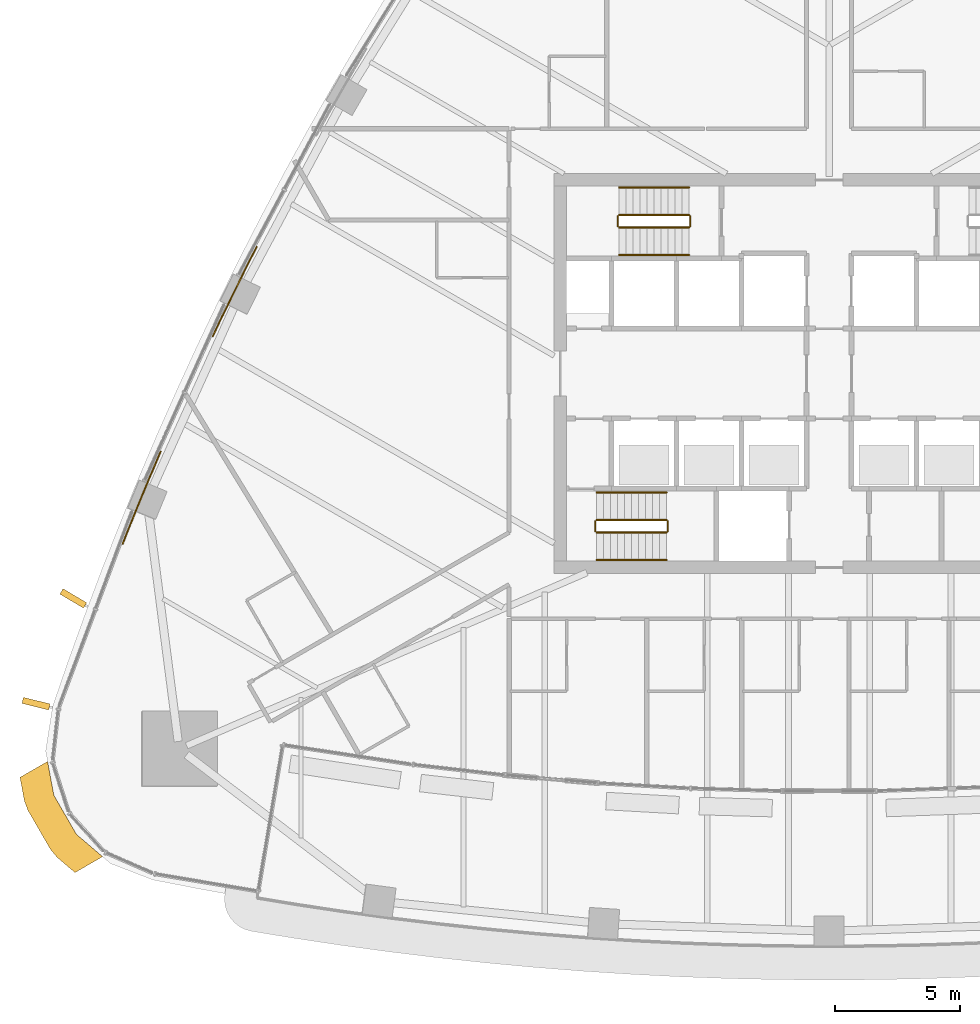
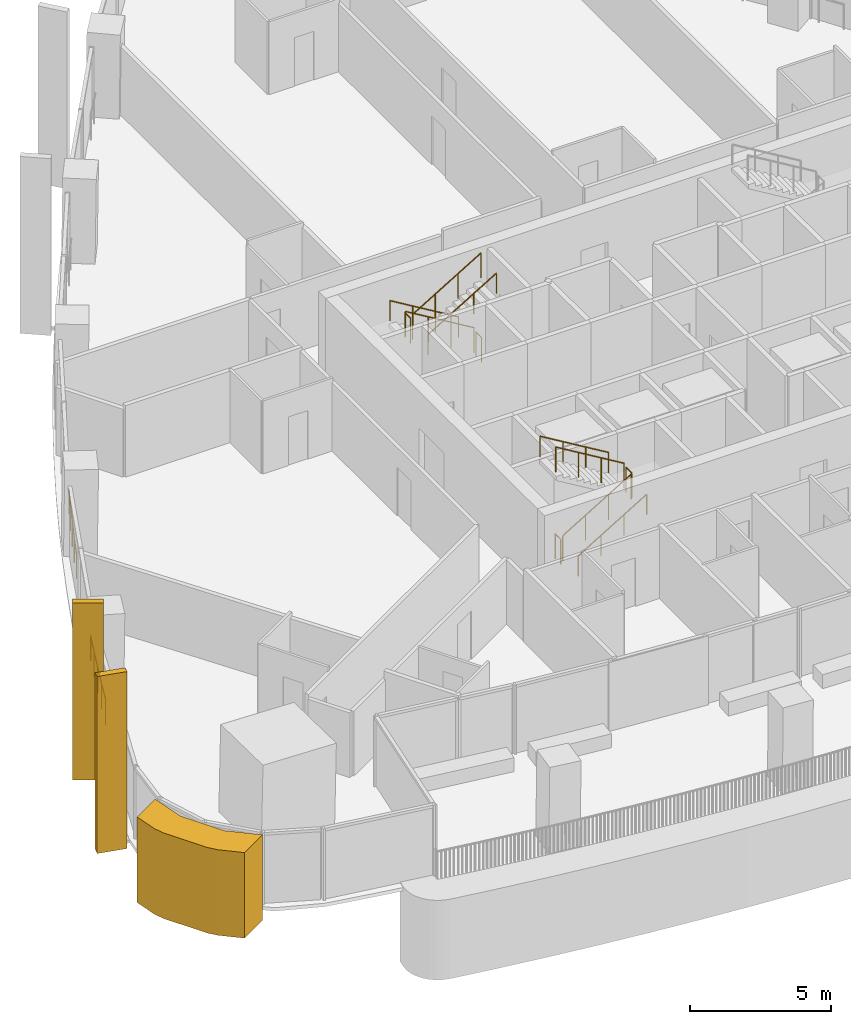
# One storey, part 20 of 25: 14 railings, 3 coverings.
"""IFC4 building model written with IfcOpenShell, lengths in metres."""

from ifc_helpers import new_model, si_unit, direction, frame, origin, origin_2d, place, context, subcontext, project, spatial, polyline, rectangle, circle, outline, extrude, material, layer, layer_set, material_profile, profile_set, type_object, element, save


model = new_model("IFC4")

# Units and contexts
model_context = context("Model", 3, precision=1e-05, world=origin(), true_north=direction((0.0, 1.0)))
body_context = subcontext(model_context, "Body", "Model", "MODEL_VIEW")
ifc_project = project(units=[si_unit("LENGTHUNIT", "METRE"), si_unit("AREAUNIT", "SQUARE_METRE"), si_unit("VOLUMEUNIT", "CUBIC_METRE"), si_unit("PLANEANGLEUNIT", "RADIAN"), si_unit("MASSUNIT", "GRAM", prefix="KILO")], contexts=[model_context])

# Site, building, storey
site_placement = place(None, origin())
site = spatial("IfcSite", under=ifc_project, at=site_placement, CompositionType="ELEMENT")
building_placement = place(site_placement, origin())
building = spatial("IfcBuilding", under=site, at=building_placement, Name="Sierra Prisma Convention Tower", CompositionType="ELEMENT")
storey_placement = place(building_placement, frame((0.0, 0.0, 88.699951171875)))
storey = spatial("IfcBuildingStorey", under=building, at=storey_placement, Name="L18", CompositionType="ELEMENT", Elevation=88.699951171875)

# Coverings
ifc_material_1 = material(Name="Aluminium composite bronze anodised", Category="aluminium")
ifc_layer = layer(ifc_material_1, 1.199951171875)
ifc_layer_set = layer_set([ifc_layer], Name="Bronze corner pier")
covering_type_1 = type_object("IfcCoveringType", Name="Bronze corner pier", PredefinedType="CLADDING", material=ifc_layer_set)
covering_placement = place(storey_placement, frame((0.0, 0.0, -0.599853515625)))
element("IfcCovering", 1, at=covering_placement, inside=storey, type_object=covering_type_1, Name="Corner pier SW L18.1", PredefinedType="CLADDING", context=body_context, shape_type="SweptSolid", body=[
    extrude(outline(polyline([(-30.887939453125, -19.33544921875), (-31.146728515625, -19.02392578125), (-32.048583984375, -17.4619140625), (-32.18896484375, -17.08203125), (-32.36376953125, -16.14501953125), (-31.26171875, -15.5087890625), (-31.009521484375, -16.862060546875), (-30.107666015625, -18.423828125), (-29.061767578125, -19.319091796875), (-30.163818359375, -19.955322265625), (-30.887939453125, -19.33544921875)])), origin(), (0.0, 0.0, 1.0), 3.699951171875),
])
ifc_material_2 = material(Name="Aluminium 6063-T6 bronze anodised", Category="aluminium")
ifc_material_profile = material_profile(ifc_material_2, rectangle(XDim=1.10009765625, YDim=0.25, at=origin_2d()), Name="ALU FIN 1100x250")
ifc_profile_set = profile_set([ifc_material_profile], Name="Aluminium 6063-T6 bronze anodised")
covering_type_2 = type_object("IfcCoveringType", Name="Bronze facade fin", PredefinedType="CLADDING", material=ifc_profile_set)
for number, where, z_axis, x_axis, name in (
    (2, (-30.232421875, -8.988037109375, -0.300048828125), (0.0, 0.0, 1.0), (-0.860545856058, 0.509372976924, 0.0), "Fin L18.37"),
    (3, (-31.72119140625, -13.198486328125, -0.300048828125), (0.0, 0.0, 1.0), (-0.970855875619, 0.239664074856, 0.0), "Fin L18.38"),
):
    element("IfcCovering", number, at=place(storey_placement, frame(where, z_axis=z_axis, x_axis=x_axis)), inside=storey, type_object=covering_type_2, Name=name, ObjectType="FIN", PredefinedType="CLADDING", context=body_context, shape_type="SweptSolid", body=[
        extrude(rectangle(XDim=1.10009765625, YDim=0.25, at=origin_2d()), origin(), (0.0, 0.0, 1.0), 7.650146484375),
    ])

# Railings
ifc_material_3 = material(Name="Stainless steel", Category="steel")
railing_type_1 = type_object("IfcRailingType", Name="Exit stair handrail", PredefinedType="HANDRAIL", material=ifc_material_3)
railing_1_placement = place(storey_placement, frame((-9.300048828125, -7.449951171875, 0.168212890625)))
element("IfcRailing", 4, at=railing_1_placement, inside=storey, type_object=railing_type_1, Name="L18 S1 stair handrail 1", PredefinedType="HANDRAIL", context=body_context, shape_type="SweptSolid", body=[
    extrude(circle(Radius=0.02392578125, at=origin_2d()), frame((0.0, 0.0, 0.8759765625), z_axis=(0.857242210791, 0.0, 0.514913383045), x_axis=(0.0, 1.0, 0.0)), (0.0, 0.0, 1.0), 3.266357421875),
    extrude(circle(Radius=0.02099609375, at=origin_2d()), origin(), (0.0, 0.0, 1.0), 0.851806640625),
    extrude(circle(Radius=0.02099609375, at=origin_2d()), frame((0.933349609375, 0.0, 0.560546875)), (0.0, 0.0, 1.0), 0.851806640625),
    extrude(circle(Radius=0.02099609375, at=origin_2d()), frame((1.86669921875, 0.0, 1.121337890625)), (0.0, 0.0, 1.0), 0.851806640625),
    extrude(circle(Radius=0.02099609375, at=origin_2d()), frame((2.800048828125, 0.0, 1.681884765625)), (0.0, 0.0, 1.0), 0.851806640625),
])
railing_2_placement = place(storey_placement, frame((-6.5, -4.75, 2.018310546875)))
element("IfcRailing", 5, at=railing_2_placement, inside=storey, type_object=railing_type_1, Name="L18 S1 stair handrail 2", PredefinedType="HANDRAIL", context=body_context, shape_type="SweptSolid", body=[
    extrude(circle(Radius=0.02392578125, at=origin_2d()), frame((0.0, 0.0, 0.8759765625), z_axis=(-0.857275202839, 0.0, 0.514858452973), x_axis=(0.0, -1.0, 0.0)), (0.0, 0.0, 1.0), 3.26611328125),
    extrude(circle(Radius=0.02099609375, at=origin_2d()), origin(), (0.0, 0.0, 1.0), 0.851806640625),
    extrude(circle(Radius=0.02099609375, at=origin_2d()), frame((-0.933349609375, 0.0, 0.560546875)), (0.0, 0.0, 1.0), 0.851806640625),
    extrude(circle(Radius=0.02099609375, at=origin_2d()), frame((-1.86669921875, 0.0, 1.12109375)), (0.0, 0.0, 1.0), 0.851806640625),
    extrude(circle(Radius=0.02099609375, at=origin_2d()), frame((-2.800048828125, 0.0, 1.681640625)), (0.0, 0.0, 1.0), 0.851806640625),
])
railing_3_placement = place(storey_placement, frame((-5.60009765625, 7.449951171875, 0.168212890625)))
element("IfcRailing", 6, at=railing_3_placement, inside=storey, type_object=railing_type_1, Name="L18 S3 stair handrail 1", PredefinedType="HANDRAIL", context=body_context, shape_type="SweptSolid", body=[
    extrude(circle(Radius=0.02392578125, at=origin_2d()), frame((0.0, 0.0, 0.8759765625), z_axis=(-0.857222391501, 0.0, 0.514946377315), x_axis=(0.0, -1.0, 0.0)), (0.0, 0.0, 1.0), 3.26611328125),
    extrude(circle(Radius=0.02099609375, at=origin_2d()), origin(), (0.0, 0.0, 1.0), 0.851806640625),
    extrude(circle(Radius=0.02099609375, at=origin_2d()), frame((-0.933349609375, 0.0, 0.560546875)), (0.0, 0.0, 1.0), 0.851806640625),
    extrude(circle(Radius=0.02099609375, at=origin_2d()), frame((-1.866455078125, 0.0, 1.121337890625)), (0.0, 0.0, 1.0), 0.851806640625),
    extrude(circle(Radius=0.02099609375, at=origin_2d()), frame((-2.7998046875, 0.0, 1.681884765625)), (0.0, 0.0, 1.0), 0.851806640625),
])
railing_4_placement = place(storey_placement, frame((-8.39990234375, 4.75, 2.018310546875)))
element("IfcRailing", 7, at=railing_4_placement, inside=storey, type_object=railing_type_1, Name="L18 S3 stair handrail 2", PredefinedType="HANDRAIL", context=body_context, shape_type="SweptSolid", body=[
    extrude(circle(Radius=0.02392578125, at=origin_2d()), frame((0.0, 0.0, 0.8759765625), z_axis=(0.857255387014, 0.0, 0.514891446264), x_axis=(0.0, 1.0, 0.0)), (0.0, 0.0, 1.0), 3.26611328125),
    extrude(circle(Radius=0.02099609375, at=origin_2d()), origin(), (0.0, 0.0, 1.0), 0.851806640625),
    extrude(circle(Radius=0.02099609375, at=origin_2d()), frame((0.933349609375, 0.0, 0.560546875)), (0.0, 0.0, 1.0), 0.851806640625),
    extrude(circle(Radius=0.02099609375, at=origin_2d()), frame((1.866455078125, 0.0, 1.12109375)), (0.0, 0.0, 1.0), 0.851806640625),
    extrude(circle(Radius=0.02099609375, at=origin_2d()), frame((2.7998046875, 0.0, 1.681640625)), (0.0, 0.0, 1.0), 0.851806640625),
])
ifc_material_4 = material(Name="Bronze anodised aluminium", Category="aluminium")
railing_type_2 = type_object("IfcRailingType", Name="Facade guard 1100", PredefinedType="GUARDRAIL", material=ifc_material_4)
railing_5_placement = place(storey_placement, frame((-22.89599609375, 5.07421875, 0.0)))
element("IfcRailing", 8, at=railing_5_placement, inside=storey, type_object=railing_type_2, Name="Facade guard", PredefinedType="GUARDRAIL", context=body_context, shape_type="SweptSolid", body=[
    extrude(circle(Radius=0.02392578125, at=origin_2d()), frame((0.0, 0.0, 1.076171875), z_axis=(-0.45250915098, -0.891759759284, 0.0), x_axis=(0.891759759284, -0.45250915098, 0.0)), (0.0, 0.0, 1.0), 0.994384765625),
    extrude(circle(Radius=0.02392578125, at=origin_2d()), frame((-0.449951171875, -0.88671875, 1.076171875), z_axis=(-0.443596720488, -0.89622650573, 0.0), x_axis=(0.89622650573, -0.443596720488, 0.0)), (0.0, 0.0, 1.0), 1.0),
    extrude(circle(Radius=0.02392578125, at=origin_2d()), frame((-0.8935546875, -1.782958984375, 1.076171875), z_axis=(-0.439042770898, -0.898466162592, 0.0), x_axis=(0.898466162592, -0.439042770898, 0.0)), (0.0, 0.0, 1.0), 0.994140625),
    extrude(circle(Radius=0.02392578125, at=origin_2d()), frame((-1.330078125, -2.67626953125, 1.076171875), z_axis=(-0.430729586215, -0.902481037784, 0.0), x_axis=(0.902481037784, -0.430729586215, 0.0)), (0.0, 0.0, 1.0), 0.999755859375),
    extrude(circle(Radius=0.02099609375, at=origin_2d()), origin(), (0.0, 0.0, 1.0), 1.052001953125),
    extrude(circle(Radius=0.02099609375, at=origin_2d()), frame((-0.449951171875, -0.88671875, 0.0)), (0.0, 0.0, 1.0), 1.052001953125),
    extrude(circle(Radius=0.02099609375, at=origin_2d()), frame((-0.8935546875, -1.782958984375, 0.0)), (0.0, 0.0, 1.0), 1.052001953125),
    extrude(circle(Radius=0.02099609375, at=origin_2d()), frame((-1.330078125, -2.67626953125, 0.0)), (0.0, 0.0, 1.0), 1.052001953125),
    extrude(circle(Radius=0.02099609375, at=origin_2d()), frame((-1.7607421875, -3.57861328125, 0.0)), (0.0, 0.0, 1.0), 1.052001953125),
])
railing_6_placement = place(storey_placement, frame((-26.739990234375, -3.1201171875, 0.0)))
element("IfcRailing", 9, at=railing_6_placement, inside=storey, type_object=railing_type_2, Name="Facade guard", PredefinedType="GUARDRAIL", context=body_context, shape_type="SweptSolid", body=[
    extrude(circle(Radius=0.02392578125, at=origin_2d()), frame((0.0, 0.0, 1.076171875), z_axis=(-0.391885028574, -0.920014197923, 0.0), x_axis=(0.920014197923, -0.391885028574, 0.0)), (0.0, 0.0, 1.0), 1.0),
    extrude(circle(Radius=0.02392578125, at=origin_2d()), frame((-0.391845703125, -0.919921875, 1.076171875), z_axis=(-0.383255169718, -0.923642503831, 0.0), x_axis=(0.923642503831, -0.383255169718, 0.0)), (0.0, 0.0, 1.0), 0.994384765625),
    extrude(circle(Radius=0.02392578125, at=origin_2d()), frame((-0.77294921875, -1.83837890625, 1.076171875), z_axis=(-0.378661364567, -0.925535288892, 0.0), x_axis=(0.925535288892, -0.378661364567, 0.0)), (0.0, 0.0, 1.0), 1.0),
    extrude(circle(Radius=0.02392578125, at=origin_2d()), frame((-1.151611328125, -2.763916015625, 1.076171875), z_axis=(-0.36927309645, -0.929320924244, 0.0), x_axis=(0.929320924244, -0.36927309645, 0.0)), (0.0, 0.0, 1.0), 0.994384765625),
    extrude(circle(Radius=0.02099609375, at=origin_2d()), origin(), (0.0, 0.0, 1.0), 1.052001953125),
    extrude(circle(Radius=0.02099609375, at=origin_2d()), frame((-0.391845703125, -0.919921875, 0.0)), (0.0, 0.0, 1.0), 1.052001953125),
    extrude(circle(Radius=0.02099609375, at=origin_2d()), frame((-0.77294921875, -1.83837890625, 0.0)), (0.0, 0.0, 1.0), 1.052001953125),
    extrude(circle(Radius=0.02099609375, at=origin_2d()), frame((-1.151611328125, -2.763916015625, 0.0)), (0.0, 0.0, 1.0), 1.052001953125),
    extrude(circle(Radius=0.02099609375, at=origin_2d()), frame((-1.518798828125, -3.68798828125, 0.0)), (0.0, 0.0, 1.0), 1.052001953125),
])
ifc_material_5 = material(Name="Stainless steel", Category="steel")
railing_type_3 = type_object("IfcRailingType", Name="Stair guard 1100", PredefinedType="GUARDRAIL", material=ifc_material_5)
railing_7_placement = place(storey_placement, frame((-9.300048828125, -6.35009765625, 0.168212890625)))
element("IfcRailing", 10, at=railing_7_placement, inside=storey, type_object=railing_type_3, Name="L18 S1 stair guard 1", PredefinedType="GUARDRAIL", context=body_context, shape_type="SweptSolid", body=[
    extrude(circle(Radius=0.02392578125, at=origin_2d()), frame((0.0, 0.0, 1.076171875), z_axis=(0.857242210791, 0.0, 0.514913383045), x_axis=(0.0, 1.0, 0.0)), (0.0, 0.0, 1.0), 3.266357421875),
    extrude(circle(Radius=0.02099609375, at=origin_2d()), origin(), (0.0, 0.0, 1.0), 1.052001953125),
    extrude(circle(Radius=0.02099609375, at=origin_2d()), frame((0.933349609375, 0.0, 0.560546875)), (0.0, 0.0, 1.0), 1.052001953125),
    extrude(circle(Radius=0.02099609375, at=origin_2d()), frame((1.86669921875, 0.0, 1.121337890625)), (0.0, 0.0, 1.0), 1.052001953125),
    extrude(circle(Radius=0.02099609375, at=origin_2d()), frame((2.800048828125, 0.0, 1.681884765625)), (0.0, 0.0, 1.0), 1.052001953125),
])
railing_8_placement = place(storey_placement, frame((-6.449951171875, -6.300048828125, 1.85009765625)))
element("IfcRailing", 11, at=railing_8_placement, inside=storey, type_object=railing_type_3, Name="L18 S1 stair guard 2", PredefinedType="GUARDRAIL", context=body_context, shape_type="SweptSolid", body=[
    extrude(circle(Radius=0.02392578125, at=origin_2d()), frame((0.0, 0.0, 1.076171875), z_axis=(0.0, 1.0, 0.0), x_axis=(-1.0, 0.0, 0.0)), (0.0, 0.0, 1.0), 0.400146484375),
    extrude(circle(Radius=0.02099609375, at=origin_2d()), origin(), (0.0, 0.0, 1.0), 1.052001953125),
    extrude(circle(Radius=0.02099609375, at=origin_2d()), frame((0.0, 0.400146484375, 0.0)), (0.0, 0.0, 1.0), 1.052001953125),
])
railing_9_placement = place(storey_placement, frame((-6.5, -5.85009765625, 2.018310546875)))
element("IfcRailing", 12, at=railing_9_placement, inside=storey, type_object=railing_type_3, Name="L18 S1 stair guard 3", PredefinedType="GUARDRAIL", context=body_context, shape_type="SweptSolid", body=[
    extrude(circle(Radius=0.02392578125, at=origin_2d()), frame((0.0, 0.0, 1.076171875), z_axis=(-0.857275202839, 0.0, 0.514858452973), x_axis=(0.0, -1.0, 0.0)), (0.0, 0.0, 1.0), 3.26611328125),
    extrude(circle(Radius=0.02099609375, at=origin_2d()), origin(), (0.0, 0.0, 1.0), 1.052001953125),
    extrude(circle(Radius=0.02099609375, at=origin_2d()), frame((-0.933349609375, 0.0, 0.560546875)), (0.0, 0.0, 1.0), 1.052001953125),
    extrude(circle(Radius=0.02099609375, at=origin_2d()), frame((-1.86669921875, 0.0, 1.12109375)), (0.0, 0.0, 1.0), 1.052001953125),
    extrude(circle(Radius=0.02099609375, at=origin_2d()), frame((-2.800048828125, 0.0, 1.681640625)), (0.0, 0.0, 1.0), 1.052001953125),
])
railing_10_placement = place(storey_placement, frame((-9.35009765625, -6.300048828125, 0.0)))
element("IfcRailing", 13, at=railing_10_placement, inside=storey, type_object=railing_type_3, Name="L18 S1 stair guard 4", PredefinedType="GUARDRAIL", context=body_context, shape_type="SweptSolid", body=[
    extrude(circle(Radius=0.02392578125, at=origin_2d()), frame((0.0, 0.0, 1.076171875), z_axis=(0.0, 1.0, 0.0), x_axis=(-1.0, 0.0, 0.0)), (0.0, 0.0, 1.0), 0.400146484375),
    extrude(circle(Radius=0.02099609375, at=origin_2d()), origin(), (0.0, 0.0, 1.0), 1.052001953125),
    extrude(circle(Radius=0.02099609375, at=origin_2d()), frame((0.0, 0.400146484375, 0.0)), (0.0, 0.0, 1.0), 1.052001953125),
])
railing_11_placement = place(storey_placement, frame((-5.60009765625, 6.35009765625, 0.168212890625)))
element("IfcRailing", 14, at=railing_11_placement, inside=storey, type_object=railing_type_3, Name="L18 S3 stair guard 1", PredefinedType="GUARDRAIL", context=body_context, shape_type="SweptSolid", body=[
    extrude(circle(Radius=0.02392578125, at=origin_2d()), frame((0.0, 0.0, 1.076171875), z_axis=(-0.857222391501, 0.0, 0.514946377315), x_axis=(0.0, -1.0, 0.0)), (0.0, 0.0, 1.0), 3.26611328125),
    extrude(circle(Radius=0.02099609375, at=origin_2d()), origin(), (0.0, 0.0, 1.0), 1.052001953125),
    extrude(circle(Radius=0.02099609375, at=origin_2d()), frame((-0.933349609375, 0.0, 0.560546875)), (0.0, 0.0, 1.0), 1.052001953125),
    extrude(circle(Radius=0.02099609375, at=origin_2d()), frame((-1.866455078125, 0.0, 1.121337890625)), (0.0, 0.0, 1.0), 1.052001953125),
    extrude(circle(Radius=0.02099609375, at=origin_2d()), frame((-2.7998046875, 0.0, 1.681884765625)), (0.0, 0.0, 1.0), 1.052001953125),
])
railing_12_placement = place(storey_placement, frame((-8.449951171875, 6.300048828125, 1.85009765625)))
element("IfcRailing", 15, at=railing_12_placement, inside=storey, type_object=railing_type_3, Name="L18 S3 stair guard 2", PredefinedType="GUARDRAIL", context=body_context, shape_type="SweptSolid", body=[
    extrude(circle(Radius=0.02392578125, at=origin_2d()), frame((0.0, 0.0, 1.076171875), z_axis=(0.0, -1.0, 0.0), x_axis=(1.0, 0.0, 0.0)), (0.0, 0.0, 1.0), 0.400146484375),
    extrude(circle(Radius=0.02099609375, at=origin_2d()), origin(), (0.0, 0.0, 1.0), 1.052001953125),
    extrude(circle(Radius=0.02099609375, at=origin_2d()), frame((0.0, -0.400146484375, 0.0)), (0.0, 0.0, 1.0), 1.052001953125),
])
railing_13_placement = place(storey_placement, frame((-8.39990234375, 5.85009765625, 2.018310546875)))
element("IfcRailing", 16, at=railing_13_placement, inside=storey, type_object=railing_type_3, Name="L18 S3 stair guard 3", PredefinedType="GUARDRAIL", context=body_context, shape_type="SweptSolid", body=[
    extrude(circle(Radius=0.02392578125, at=origin_2d()), frame((0.0, 0.0, 1.076171875), z_axis=(0.857255387014, 0.0, 0.514891446264), x_axis=(0.0, 1.0, 0.0)), (0.0, 0.0, 1.0), 3.26611328125),
    extrude(circle(Radius=0.02099609375, at=origin_2d()), origin(), (0.0, 0.0, 1.0), 1.052001953125),
    extrude(circle(Radius=0.02099609375, at=origin_2d()), frame((0.933349609375, 0.0, 0.560546875)), (0.0, 0.0, 1.0), 1.052001953125),
    extrude(circle(Radius=0.02099609375, at=origin_2d()), frame((1.866455078125, 0.0, 1.12109375)), (0.0, 0.0, 1.0), 1.052001953125),
    extrude(circle(Radius=0.02099609375, at=origin_2d()), frame((2.7998046875, 0.0, 1.681640625)), (0.0, 0.0, 1.0), 1.052001953125),
])
railing_14_placement = place(storey_placement, frame((-5.550048828125, 6.300048828125, 0.0)))
element("IfcRailing", 17, at=railing_14_placement, inside=storey, type_object=railing_type_3, Name="L18 S3 stair guard 4", PredefinedType="GUARDRAIL", context=body_context, shape_type="SweptSolid", body=[
    extrude(circle(Radius=0.02392578125, at=origin_2d()), frame((0.0, 0.0, 1.076171875), z_axis=(0.0, -1.0, 0.0), x_axis=(1.0, 0.0, 0.0)), (0.0, 0.0, 1.0), 0.400146484375),
    extrude(circle(Radius=0.02099609375, at=origin_2d()), origin(), (0.0, 0.0, 1.0), 1.052001953125),
    extrude(circle(Radius=0.02099609375, at=origin_2d()), frame((0.0, -0.400146484375, 0.0)), (0.0, 0.0, 1.0), 1.052001953125),
])

save(model, "model.ifc")
